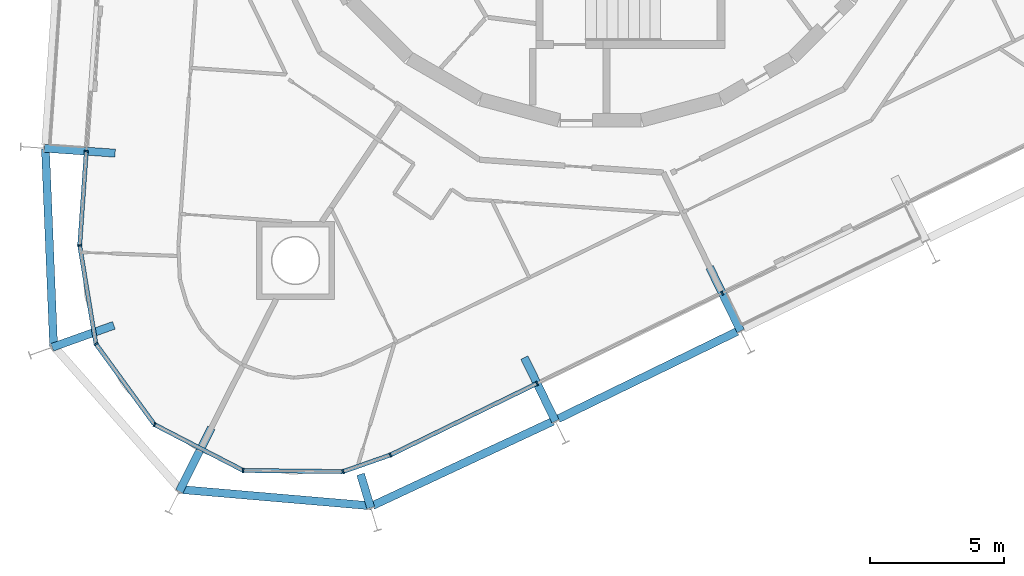
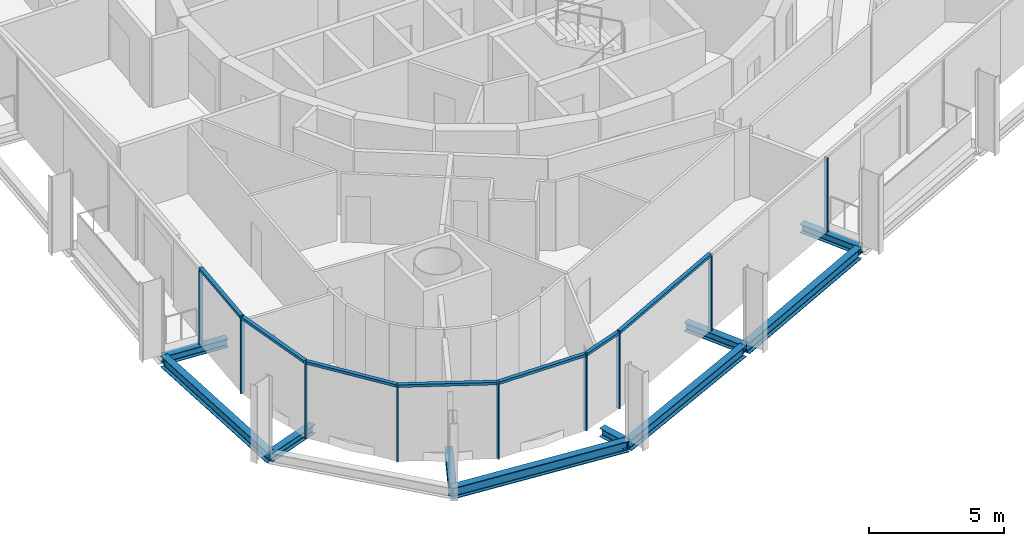
# One storey, part 2 of 18: 16 members, 10 beams, 2 elements without a shape of their own.
"""IFC4 building model written with IfcOpenShell, lengths in metres."""

import ifcopenshell
import ifcopenshell.guid

model = None  # the IFC model being written
_history = None  # IfcOwnerHistory: only IFC2X3 demands one
_inside = {}  # id of a spatial element -> (the spatial element, [elements in it])
_under = {}  # id of a project, library or spatial element -> (it, [spatial elements below it])
_declared = {}  # id of a project -> (the project, [libraries it declares])
_typed = {}  # id of a type object -> (the type object, [elements of that type])
_made_of = {}  # id of a material, layer set ... -> (it, [elements and type objects made of it])


def new_model(schema):
    """Start an empty IFC model of exactly this schema.

    Asked for "IFC4X3", IfcOpenShell would pick the latest addendum, in which some entities
    have other attributes; the version numbers below select the first issue.
    IFC2X3 requires an IfcOwnerHistory on every rooted entity: one is made here for all.
    """
    global model, _history
    if schema == "IFC4X3":
        model = ifcopenshell.file(schema_version=(4, 3, 0, 0))
    else:
        model = ifcopenshell.file(schema=schema)
    _inside.clear()
    _under.clear()
    _declared.clear()
    _typed.clear()
    _made_of.clear()
    _history = None
    if model.schema == "IFC2X3":
        org = make("IfcOrganization", Name="unknown")
        user = make(
            "IfcPersonAndOrganization",
            ThePerson=make("IfcPerson", FamilyName="unknown"),
            TheOrganization=org,
        )
        app = make(
            "IfcApplication",
            ApplicationDeveloper=org,
            Version="unknown",
            ApplicationFullName="unknown",
            ApplicationIdentifier="unknown",
        )
        _history = make(
            "IfcOwnerHistory",
            OwningUser=user,
            OwningApplication=app,
            ChangeAction="ADDED",
            CreationDate=0,
        )
    return model


def make(cls, **values):
    """One entity of the class cls with the attributes given. An attribute that is None is left unset."""
    return model.create_entity(
        cls, **{name: value for name, value in values.items() if value is not None}
    )


def rooted(cls, **values):
    """An entity with a GlobalId (a new one), such as an element, a storey or a relation."""
    return make(cls, GlobalId=ifcopenshell.guid.new(), OwnerHistory=_history, **values)


def si_unit(unit_type, name, prefix=None):
    """IfcSIUnit, for example si_unit("LENGTHUNIT", "METRE", prefix="MILLI")."""
    return make("IfcSIUnit", UnitType=unit_type, Prefix=prefix, Name=name)


def assignment(units):
    """IfcUnitAssignment: the units of a project."""
    return None if units is None else make("IfcUnitAssignment", Units=units)


def point(xyz):
    """IfcCartesianPoint."""
    return None if xyz is None else make("IfcCartesianPoint", Coordinates=xyz)


def direction(xyz):
    """IfcDirection."""
    return None if xyz is None else make("IfcDirection", DirectionRatios=xyz)


def frame(location, z_axis=None, x_axis=None):
    """IfcAxis2Placement3D, a coordinate frame: its origin and axes. An axis left out is left unset."""
    return make(
        "IfcAxis2Placement3D",
        Location=point(location),
        Axis=direction(z_axis),
        RefDirection=direction(x_axis),
    )


def frame_2d(location, x_axis=None):
    """IfcAxis2Placement2D, a coordinate frame in the plane: its origin and x axis."""
    return make(
        "IfcAxis2Placement2D", Location=point(location), RefDirection=direction(x_axis)
    )


def origin():
    """The frame at (0, 0, 0) with its axes left unset."""
    return frame((0.0, 0.0, 0.0))


def origin_2d():
    """The frame at (0, 0) in the plane with its x axis left unset."""
    return frame_2d((0.0, 0.0))


def place(relative_to, where):
    """IfcLocalPlacement: puts the frame where relative to a parent placement (None: the world)."""
    return make(
        "IfcLocalPlacement", PlacementRelTo=relative_to, RelativePlacement=where
    )


def context(
    kind, dimensions, precision=None, world=None, true_north=None, identifier=None
):
    """IfcGeometricRepresentationContext, for example the 3D "Model" context."""
    return make(
        "IfcGeometricRepresentationContext",
        ContextIdentifier=identifier,
        ContextType=kind,
        CoordinateSpaceDimension=dimensions,
        Precision=precision,
        WorldCoordinateSystem=world,
        TrueNorth=true_north,
    )


def subcontext(parent, identifier, kind, view, scale=None):
    """IfcGeometricRepresentationSubContext, for example "Body" below "Model"."""
    return make(
        "IfcGeometricRepresentationSubContext",
        ContextIdentifier=identifier,
        ContextType=kind,
        ParentContext=parent,
        TargetScale=scale,
        TargetView=view,
    )


def project(units=None, contexts=None):
    """IfcProject with its units and contexts."""
    return rooted(
        "IfcProject",
        Name="project",
        RepresentationContexts=contexts,
        UnitsInContext=assignment(units),
    )


def spatial(cls, under=None, at=None, **own):
    """A site, building, storey or space (cls), placed at a placement, below another one or the project."""
    s = rooted(cls, ObjectPlacement=at, **own)
    if under is not None:
        _under.setdefault(under.id(), (under, []))[1].append(s)
    return s


def profile(cls, at=None, kind="AREA", **sizes):
    """A parametric profile (cls). Its sizes go by their IFC names, for example OverallWidth=200.0."""
    return make(cls, ProfileType=kind, Position=at, **sizes)


def rectangle(**sizes):
    """IfcRectangleProfileDef."""
    return profile("IfcRectangleProfileDef", **sizes)


def i_section(**sizes):
    """IfcIShapeProfileDef."""
    return profile("IfcIShapeProfileDef", **sizes)


def extrude(swept, where, along, depth):
    """IfcExtrudedAreaSolid: the profile swept, set in the frame where, extruded along a direction by depth."""
    return make(
        "IfcExtrudedAreaSolid",
        SweptArea=swept,
        Position=where,
        ExtrudedDirection=direction(along),
        Depth=depth,
    )


def shape(context_of_items, identifier, shape_type, items):
    """IfcShapeRepresentation: the items that make up one representation, for example the "Body"."""
    return make(
        "IfcShapeRepresentation",
        ContextOfItems=context_of_items,
        RepresentationIdentifier=identifier,
        RepresentationType=shape_type,
        Items=items,
    )


def material(Name=None, Category=None):
    """IfcMaterial."""
    return make("IfcMaterial", Name=Name, Category=Category)


def layer(
    of_material, thickness, ventilated=None, Name=None, Category=None, Priority=None
):
    """IfcMaterialLayer: one layer of a wall or slab, of a material (None: an air gap)."""
    return make(
        "IfcMaterialLayer",
        Material=of_material,
        LayerThickness=thickness,
        IsVentilated=ventilated,
        Name=Name,
        Category=Category,
        Priority=Priority,
    )


def layer_set(layers, Name=None):
    """IfcMaterialLayerSet."""
    return make("IfcMaterialLayerSet", MaterialLayers=layers, LayerSetName=Name)


def material_profile(
    of_material, cross_section, Name=None, Category=None, Priority=None
):
    """IfcMaterialProfile: a cross section and its material."""
    return make(
        "IfcMaterialProfile",
        Name=Name,
        Material=of_material,
        Profile=cross_section,
        Priority=Priority,
        Category=Category,
    )


def profile_set(profiles, Name=None, composite=None):
    """IfcMaterialProfileSet."""
    return make(
        "IfcMaterialProfileSet",
        Name=Name,
        MaterialProfiles=profiles,
        CompositeProfile=composite,
    )


def made_of(thing, what):
    """Note that an element or type object is made of a material, layer set ...; save() writes the relation."""
    if what is not None:
        _made_of.setdefault(what.id(), (what, []))[1].append(thing)
    return thing


def type_object(cls, material=None, **own):
    """A type object (cls), such as IfcWallType, which elements share."""
    return made_of(rooted(cls, **own), material)


def element(
    cls,
    number,
    at=None,
    inside=None,
    cuts=None,
    type_object=None,
    material=None,
    context=None,
    identifier="Body",
    shape_type=None,
    held_by="IfcProductDefinitionShape",
    body=None,
    shapes=None,
    **own,
):
    """One element of the class cls, such as IfcWall. Its Tag is "e" and its number.

    at: its placement. inside: the storey or other place that contains it. cuts: it is an
    opening in that element (IfcRelVoidsElement). A single representation is given by context,
    identifier, shape_type and body (its items); several are given by shapes. held_by: the class
    of the entity that holds the representations. save() writes the other relations.
    """
    e = rooted(cls, Tag="e%d" % number, ObjectPlacement=at, **own)
    if body is not None:
        shapes = [shape(context, identifier, shape_type, body)]
    if shapes is not None:
        e.Representation = make(held_by, Representations=shapes)
    if inside is not None:
        _inside.setdefault(inside.id(), (inside, []))[1].append(e)
    if cuts is not None:
        rooted(
            "IfcRelVoidsElement", RelatingBuildingElement=cuts, RelatedOpeningElement=e
        )
    if type_object is not None:
        _typed.setdefault(type_object.id(), (type_object, []))[1].append(e)
    return made_of(e, material)


def aggregate(whole, parts):
    """IfcRelAggregates: a whole, such as a stair, and the parts it consists of."""
    return rooted("IfcRelAggregates", RelatingObject=whole, RelatedObjects=parts)


def save(model, path):
    """Write the relations noted so far, then the file.

    IfcRelAggregates (storeys below a building ...), IfcRelContainedInSpatialStructure (elements
    in a storey), IfcRelDefinesByType, IfcRelAssociatesMaterial and IfcRelDeclares: one each for
    every whole, place, type object, material and project.
    """
    for whole, parts in _under.values():
        aggregate(whole, parts)
    for where, things in _inside.values():
        rooted(
            "IfcRelContainedInSpatialStructure",
            RelatedElements=things,
            RelatingStructure=where,
        )
    for kind, things in _typed.values():
        rooted("IfcRelDefinesByType", RelatedObjects=things, RelatingType=kind)
    for what, things in _made_of.values():
        rooted("IfcRelAssociatesMaterial", RelatedObjects=things, RelatingMaterial=what)
    for by, libraries in _declared.values():
        rooted("IfcRelDeclares", RelatingContext=by, RelatedDefinitions=libraries)
    model.write(path)


model = new_model("IFC4")

# Units and contexts
model_context = context("Model", 3, precision=1e-05, world=origin(), true_north=direction((0.0, 1.0)))
body_context = subcontext(model_context, "Body", "Model", "MODEL_VIEW")
ifc_project = project(units=[si_unit("LENGTHUNIT", "METRE"), si_unit("AREAUNIT", "SQUARE_METRE"), si_unit("VOLUMEUNIT", "CUBIC_METRE"), si_unit("PLANEANGLEUNIT", "RADIAN"), si_unit("MASSUNIT", "GRAM", prefix="KILO")], contexts=[model_context])

# Site, building, storey
site_placement = place(None, origin())
site = spatial("IfcSite", under=ifc_project, at=site_placement, CompositionType="ELEMENT")
building_placement = place(site_placement, origin())
building = spatial("IfcBuilding", under=site, at=building_placement, Name="Spindle Arch Residences", CompositionType="ELEMENT")
storey_placement = place(building_placement, frame((0.0, 0.0, 198.89990234375)))
storey = spatial("IfcBuildingStorey", under=building, at=storey_placement, Name="L50", CompositionType="ELEMENT", Elevation=198.89990234375)

# Curtain wall, members
ifc_material_1 = material(Name="Aluminium bronze unitised frame with tinted glass", Category="aluminium")
ifc_layer_1 = layer(ifc_material_1, 0.159912109375)
ifc_layer_set_1 = layer_set([ifc_layer_1], Name="CW-D corner wall on the fillet arcs")
curtain_wall_type_1 = type_object("IfcCurtainWallType", Name="CW-D corner wall on the fillet arcs", PredefinedType="NOTDEFINED", material=ifc_layer_set_1)
curtain_wall_1_placement = place(storey_placement, origin())
curtain_wall_1 = element("IfcCurtainWall", 1, at=curtain_wall_1_placement, inside=storey, type_object=curtain_wall_type_1, Name="CW-D L50 run 5", PredefinedType="NOTDEFINED")
ifc_material_2 = material(Name="Aluminium bronze anodised mullion", Category="aluminium")
ifc_material_profile_1 = material_profile(ifc_material_2, rectangle(XDim=0.159912109375, YDim=0.06005859375, at=origin_2d()), Name="MU 60x160")
ifc_profile_set_1 = profile_set([ifc_material_profile_1], Name="Aluminium bronze anodised mullion")
member_type_1 = type_object("IfcMemberType", Name="Bronze mullion 60x160", PredefinedType="MULLION", material=ifc_profile_set_1)
member_1_placement = place(storey_placement, frame((-19.2001953125, -12.796875, -0.3798828125), z_axis=(0.0, 0.0, 1.0), x_axis=(0.99756405026, -0.069756473744, 0.0)))
member_1 = element("IfcMember", 2, at=member_1_placement, type_object=member_type_1, Name="CW-D mullion 00", PredefinedType="MULLION", context=body_context, shape_type="SweptSolid", body=[
    extrude(rectangle(XDim=0.159912109375, YDim=0.06005859375, at=origin_2d()), origin(), (0.0, 0.0, 1.0), 3.3798828125),
])
member_2_placement = place(storey_placement, frame((-19.4462890625, -16.31689453125, -0.3798828125), z_axis=(0.0, 0.0, 1.0), x_axis=(0.986761531666, 0.162177925821, 0.0)))
member_2 = element("IfcMember", 3, at=member_2_placement, type_object=member_type_1, Name="CW-D mullion 01", PredefinedType="MULLION", context=body_context, shape_type="SweptSolid", body=[
    extrude(rectangle(XDim=0.159912109375, YDim=0.06005859375, at=origin_2d()), origin(), (0.0, 0.0, 1.0), 3.3798828125),
])
member_3_placement = place(storey_placement, frame((-18.842041015625, -19.994140625, -0.3798828125), z_axis=(0.0, 0.0, 1.0), x_axis=(0.809016992641, 0.587785254679, 0.0)))
member_3 = element("IfcMember", 4, at=member_3_placement, type_object=member_type_1, Name="CW-D mullion 02", PredefinedType="MULLION", context=body_context, shape_type="SweptSolid", body=[
    extrude(rectangle(XDim=0.159912109375, YDim=0.06005859375, at=origin_2d()), origin(), (0.0, 0.0, 1.0), 3.3798828125),
])
member_4_placement = place(storey_placement, frame((-16.6513671875, -23.00927734375, -0.3798828125), z_axis=(0.0, 0.0, 1.0), x_axis=(0.459166453025, 0.88835025098, 0.0)))
member_4 = element("IfcMember", 5, at=member_4_placement, type_object=member_type_1, Name="CW-D mullion 03", PredefinedType="MULLION", context=body_context, shape_type="SweptSolid", body=[
    extrude(rectangle(XDim=0.159912109375, YDim=0.06005859375, at=origin_2d()), origin(), (0.0, 0.0, 1.0), 3.3798828125),
])
member_5_placement = place(storey_placement, frame((-13.3408203125, -24.720458984375, -0.3798828125), z_axis=(0.0, 0.0, 1.0), x_axis=(0.011635263346, 0.999932308032, 0.0)))
member_5 = element("IfcMember", 6, at=member_5_placement, type_object=member_type_1, Name="CW-D mullion 04", PredefinedType="MULLION", context=body_context, shape_type="SweptSolid", body=[
    extrude(rectangle(XDim=0.159912109375, YDim=0.06005859375, at=origin_2d()), origin(), (0.0, 0.0, 1.0), 3.3798828125),
])
member_6_placement = place(storey_placement, frame((-9.6142578125, -24.763916015625, -0.3798828125), z_axis=(0.0, 0.0, 1.0), x_axis=(-0.33106342198, 0.943608504957, 0.0)))
member_6 = element("IfcMember", 7, at=member_6_placement, type_object=member_type_1, Name="CW-D mullion 05", PredefinedType="MULLION", context=body_context, shape_type="SweptSolid", body=[
    extrude(rectangle(XDim=0.159912109375, YDim=0.06005859375, at=origin_2d()), origin(), (0.0, 0.0, 1.0), 3.3798828125),
])
member_7_placement = place(storey_placement, frame((-7.843994140625, -24.142822265625, -0.3798828125), z_axis=(0.0, 0.0, 1.0), x_axis=(-0.438371146789, 0.898794046299, 0.0)))
member_7 = element("IfcMember", 8, at=member_7_placement, type_object=member_type_1, Name="CW-D mullion 06", PredefinedType="MULLION", context=body_context, shape_type="SweptSolid", body=[
    extrude(rectangle(XDim=0.159912109375, YDim=0.06005859375, at=origin_2d()), origin(), (0.0, 0.0, 1.0), 3.3798828125),
])

ifc_material_3 = material(Name="Aluminium bronze unitised frame with tinted glass", Category="aluminium")
ifc_layer_2 = layer(ifc_material_3, 0.159912109375)
ifc_layer_set_2 = layer_set([ifc_layer_2], Name="CW-C typical residential unitised wall")
curtain_wall_type_2 = type_object("IfcCurtainWallType", Name="CW-C typical residential unitised wall", PredefinedType="NOTDEFINED", material=ifc_layer_set_2)
curtain_wall_2_placement = place(storey_placement, origin())
curtain_wall_2 = element("IfcCurtainWall", 9, at=curtain_wall_2_placement, inside=storey, type_object=curtain_wall_type_2, Name="CW-C L50 run 6", PredefinedType="NOTDEFINED")
member_8_placement = place(storey_placement, frame((-2.36767578125, -21.4716796875, -0.3798828125), z_axis=(0.0, 0.0, 1.0), x_axis=(-0.438371146789, 0.898794046299, 0.0)))
member_8 = element("IfcMember", 10, at=member_8_placement, type_object=member_type_1, Name="CW-C mullion 20", PredefinedType="MULLION", context=body_context, shape_type="SweptSolid", body=[
    extrude(rectangle(XDim=0.159912109375, YDim=0.06005859375, at=origin_2d()), origin(), (0.0, 0.0, 1.0), 3.3798828125),
])
member_9_placement = place(storey_placement, frame((4.54736328125, -18.09912109375, -0.3798828125), z_axis=(0.0, 0.0, 1.0), x_axis=(-0.438371146789, 0.898794046299, 0.0)))
member_9 = element("IfcMember", 11, at=member_9_placement, type_object=member_type_1, Name="CW-C mullion 21", PredefinedType="MULLION", context=body_context, shape_type="SweptSolid", body=[
    extrude(rectangle(XDim=0.159912109375, YDim=0.06005859375, at=origin_2d()), origin(), (0.0, 0.0, 1.0), 3.3798828125),
])
aggregate(curtain_wall_2, [member_8, member_9])

# Member
ifc_material_4 = material(Name="Aluminium bronze anodised transom", Category="aluminium")
ifc_material_profile_2 = material_profile(ifc_material_4, rectangle(XDim=0.159912109375, YDim=0.1201171875, at=origin_2d()), Name="TR 120x160")
ifc_profile_set_2 = profile_set([ifc_material_profile_2], Name="Aluminium bronze anodised transom")
member_type_2 = type_object("IfcMemberType", Name="Bronze transom 120x160", PredefinedType="USERDEFINED", material=ifc_profile_set_2)
member_10_placement = place(storey_placement, frame((-19.202392578125, -12.826904296875, 3.06005859375), z_axis=(-0.069756279092, -0.997564063871, 0.0), x_axis=(0.997564063871, -0.069756279092, 0.0)))
member_10 = element("IfcMember", 12, at=member_10_placement, type_object=member_type_2, Name="CW-D transom 00", ObjectType="TRANSOM", PredefinedType="USERDEFINED", context=body_context, shape_type="SweptSolid", body=[
    extrude(rectangle(XDim=0.159912109375, YDim=0.1201171875, at=origin_2d()), origin(), (0.0, 0.0, 1.0), 3.468505859375),
])

member_11_placement = place(storey_placement, frame((-19.44140625, -16.346435546875, 3.06005859375), z_axis=(0.162131110814, -0.986769224746, 0.0), x_axis=(0.986769224746, 0.162131110814, 0.0)))
member_11 = element("IfcMember", 13, at=member_11_placement, type_object=member_type_2, Name="CW-D transom 01", ObjectType="TRANSOM", PredefinedType="USERDEFINED", context=body_context, shape_type="SweptSolid", body=[
    extrude(rectangle(XDim=0.159912109375, YDim=0.1201171875, at=origin_2d()), origin(), (0.0, 0.0, 1.0), 3.666748046875),
])

member_12_placement = place(storey_placement, frame((-18.82421875, -20.0185546875, 3.06005859375), z_axis=(0.587807403161, -0.809000900363, 0.0), x_axis=(0.809000900363, 0.587807403161, 0.0)))
member_12 = element("IfcMember", 14, at=member_12_placement, type_object=member_type_2, Name="CW-D transom 02", ObjectType="TRANSOM", PredefinedType="USERDEFINED", context=body_context, shape_type="SweptSolid", body=[
    extrude(rectangle(XDim=0.159912109375, YDim=0.1201171875, at=origin_2d()), origin(), (0.0, 0.0, 1.0), 3.666748046875),
])

member_13_placement = place(storey_placement, frame((-16.624755859375, -23.02294921875, 3.06005859375), z_axis=(0.888327233371, -0.459210982503, 0.0), x_axis=(0.459210982503, 0.888327233371, 0.0)))
member_13 = element("IfcMember", 15, at=member_13_placement, type_object=member_type_2, Name="CW-D transom 03", ObjectType="TRANSOM", PredefinedType="USERDEFINED", context=body_context, shape_type="SweptSolid", body=[
    extrude(rectangle(XDim=0.159912109375, YDim=0.1201171875, at=origin_2d()), origin(), (0.0, 0.0, 1.0), 3.666748046875),
])

member_14_placement = place(storey_placement, frame((-13.310791015625, -24.720703125, 3.06005859375), z_axis=(0.999932114398, -0.011651892397, 0.0), x_axis=(0.011651892397, 0.999932114398, 0.0)))
member_14 = element("IfcMember", 16, at=member_14_placement, type_object=member_type_2, Name="CW-D transom 04", ObjectType="TRANSOM", PredefinedType="USERDEFINED", context=body_context, shape_type="SweptSolid", body=[
    extrude(rectangle(XDim=0.159912109375, YDim=0.1201171875, at=origin_2d()), origin(), (0.0, 0.0, 1.0), 3.666748046875),
])

member_15_placement = place(storey_placement, frame((-9.5859375, -24.75390625, 3.06005859375), z_axis=(0.943591876762, 0.331110812432, 0.0), x_axis=(-0.331110812432, 0.943591876762, 0.0)))
member_15 = element("IfcMember", 17, at=member_15_placement, type_object=member_type_2, Name="CW-D transom 05", ObjectType="TRANSOM", PredefinedType="USERDEFINED", context=body_context, shape_type="SweptSolid", body=[
    extrude(rectangle(XDim=0.159912109375, YDim=0.1201171875, at=origin_2d()), origin(), (0.0, 0.0, 1.0), 1.816162109375),
])

member_16_placement = place(storey_placement, frame((-7.81689453125, -24.129638671875, 3.06005859375), z_axis=(0.898786724344, 0.438386158704, 0.0), x_axis=(-0.438386158704, 0.898786724344, 0.0)))
member_16 = element("IfcMember", 18, at=member_16_placement, type_object=member_type_2, Name="CW-D transom 06", ObjectType="TRANSOM", PredefinedType="USERDEFINED", context=body_context, shape_type="SweptSolid", body=[
    extrude(rectangle(XDim=0.159912109375, YDim=0.1201171875, at=origin_2d()), origin(), (0.0, 0.0, 1.0), 6.032958984375),
])

aggregate(curtain_wall_1, [member_1, member_10, member_2, member_11, member_3, member_12, member_4, member_13, member_5, member_14, member_6, member_15, member_7, member_16])

# Beams
ifc_material_5 = material(Name="Steel S460ML, intumescent coating R 120", Category="steel")
ifc_material_profile_3 = material_profile(ifc_material_5, i_section(OverallWidth=0.300048828125, OverallDepth=0.5, WebThickness=0.014404296875, FlangeThickness=0.028076171875, FilletRadius=0.027099609375, at=origin_2d()), Name="HEB 500")
ifc_profile_set_3 = profile_set([ifc_material_profile_3], Name="Steel S460ML, intumescent coating R 120")
beam_type_1 = type_object("IfcBeamType", Name="Exoskeleton edge beam HEB 500", PredefinedType="BEAM", material=ifc_profile_set_3)
beam_1_placement = place(storey_placement, frame((-20.724609375, -12.719482421875, -0.6298828125), z_axis=(0.041509189308, -0.999138122185, 0.0), x_axis=(0.999138122185, 0.041509189308, 0.0)))
element("IfcBeam", 19, at=beam_1_placement, inside=storey, type_object=beam_type_1, Name="Exoskeleton edge beam 17", PredefinedType="BEAM", context=body_context, shape_type="SweptSolid", body=[
    extrude(i_section(OverallWidth=0.300048828125, OverallDepth=0.5, WebThickness=0.014404296875, FlangeThickness=0.028076171875, FilletRadius=0.027099609375, at=origin_2d()), origin(), (0.0, 0.0, 1.0), 7.36376953125),
])
beam_2_placement = place(storey_placement, frame((-15.7568359375, -25.42431640625, -0.6298828125), z_axis=(0.996340259924, -0.085475648313, 0.0), x_axis=(0.085475648313, 0.996340259924, 0.0)))
element("IfcBeam", 20, at=beam_2_placement, inside=storey, type_object=beam_type_1, Name="Exoskeleton edge beam 19", PredefinedType="BEAM", context=body_context, shape_type="SweptSolid", body=[
    extrude(i_section(OverallWidth=0.300048828125, OverallDepth=0.5, WebThickness=0.014404296875, FlangeThickness=0.028076171875, FilletRadius=0.027099609375, at=origin_2d()), origin(), (0.0, 0.0, 1.0), 7.249267578125),
])
beam_3_placement = place(storey_placement, frame((-8.508056640625, -26.0322265625, -0.6298828125), z_axis=(0.905883990605, 0.423525908966, 0.0), x_axis=(-0.423525908966, 0.905883990605, 0.0)))
element("IfcBeam", 21, at=beam_3_placement, inside=storey, type_object=beam_type_1, Name="Exoskeleton edge beam 20", PredefinedType="BEAM", context=body_context, shape_type="SweptSolid", body=[
    extrude(i_section(OverallWidth=0.300048828125, OverallDepth=0.5, WebThickness=0.014404296875, FlangeThickness=0.028076171875, FilletRadius=0.027099609375, at=origin_2d()), origin(), (0.0, 0.0, 1.0), 7.42822265625),
])
beam_4_placement = place(storey_placement, frame((-1.580078125, -22.789794921875, -0.6298828125), z_axis=(0.898804110297, 0.438350511935, 0.0), x_axis=(-0.438350511935, 0.898804110297, 0.0)))
element("IfcBeam", 22, at=beam_4_placement, inside=storey, type_object=beam_type_1, Name="Exoskeleton edge beam 21", PredefinedType="BEAM", context=body_context, shape_type="SweptSolid", body=[
    extrude(i_section(OverallWidth=0.300048828125, OverallDepth=0.5, WebThickness=0.014404296875, FlangeThickness=0.028076171875, FilletRadius=0.027099609375, at=origin_2d()), origin(), (0.0, 0.0, 1.0), 7.43359375),
])
ifc_material_6 = material(Name="Steel S460ML, intumescent coating R 120", Category="steel")
ifc_material_profile_4 = material_profile(ifc_material_6, i_section(OverallWidth=0.300048828125, OverallDepth=0.389892578125, WebThickness=0.010986328125, FlangeThickness=0.01904296875, FilletRadius=0.027099609375, at=origin_2d()), Name="HEA 400")
ifc_profile_set_4 = profile_set([ifc_material_profile_4], Name="Steel S460ML, intumescent coating R 120")
beam_type_2 = type_object("IfcBeamType", Name="Floor outrigger HEA 400", PredefinedType="BEAM", material=ifc_profile_set_4)
beam_5_placement = place(storey_placement, frame((-20.766357421875, -12.6875, -0.574951171875), z_axis=(0.997565124092, -0.069741115528, 0.0), x_axis=(0.069741115528, 0.997565124092, 0.0)))
element("IfcBeam", 23, at=beam_5_placement, inside=storey, type_object=beam_type_2, Name="Floor outrigger 17", PredefinedType="BEAM", context=body_context, shape_type="SweptSolid", body=[
    extrude(i_section(OverallWidth=0.300048828125, OverallDepth=0.389892578125, WebThickness=0.010986328125, FlangeThickness=0.01904296875, FilletRadius=0.027099609375, at=origin_2d()), origin(), (0.0, 0.0, 1.0), 2.64990234375),
])
beam_6_placement = place(storey_placement, frame((-20.475341796875, -20.1220703125, -0.574951171875), z_axis=(0.941908704104, 0.335869011868, 0.0), x_axis=(-0.335869011868, 0.941908704104, 0.0)))
element("IfcBeam", 24, at=beam_6_placement, inside=storey, type_object=beam_type_2, Name="Floor outrigger 18", PredefinedType="BEAM", context=body_context, shape_type="SweptSolid", body=[
    extrude(i_section(OverallWidth=0.300048828125, OverallDepth=0.389892578125, WebThickness=0.010986328125, FlangeThickness=0.01904296875, FilletRadius=0.027099609375, at=origin_2d()), origin(), (0.0, 0.0, 1.0), 2.448974609375),
])
beam_7_placement = place(storey_placement, frame((-15.725830078125, -25.49951171875, -0.574951171875), z_axis=(0.449717951116, 0.893170624486, 0.0), x_axis=(-0.893170624486, 0.449717951116, 0.0)))
element("IfcBeam", 25, at=beam_7_placement, inside=storey, type_object=beam_type_2, Name="Floor outrigger 19", PredefinedType="BEAM", context=body_context, shape_type="SweptSolid", body=[
    extrude(i_section(OverallWidth=0.300048828125, OverallDepth=0.389892578125, WebThickness=0.010986328125, FlangeThickness=0.01904296875, FilletRadius=0.027099609375, at=origin_2d()), origin(), (0.0, 0.0, 1.0), 2.649658203125),
])
beam_8_placement = place(storey_placement, frame((-8.57763671875, -26.11279296875, -0.574951171875), z_axis=(-0.291027903823, 0.956714565164, 0.0), x_axis=(-0.956714565164, -0.291027903823, 0.0)))
element("IfcBeam", 26, at=beam_8_placement, inside=storey, type_object=beam_type_2, Name="Floor outrigger 20", PredefinedType="BEAM", context=body_context, shape_type="SweptSolid", body=[
    extrude(i_section(OverallWidth=0.300048828125, OverallDepth=0.389892578125, WebThickness=0.010986328125, FlangeThickness=0.01904296875, FilletRadius=0.027099609375, at=origin_2d()), origin(), (0.0, 0.0, 1.0), 1.307861328125),
])
for number, where, z_axis, x_axis, name in (
    (27, (-1.679443359375, -22.8828125, -0.574951171875), (-0.438347395329, 0.898805630272, 0.0), (-0.898805630272, -0.438347395329, 0.0), "Floor outrigger 21"),
    (28, (5.235595703125, -19.510009765625, -0.574951171875), (-0.438383695602, 0.898787925725, 0.0), (-0.898787925725, -0.438383695602, 0.0), "Floor outrigger 22"),
):
    element("IfcBeam", number, at=place(storey_placement, frame(where, z_axis=z_axis, x_axis=x_axis)), inside=storey, type_object=beam_type_2, Name=name, PredefinedType="BEAM", context=body_context, shape_type="SweptSolid", body=[
        extrude(i_section(OverallWidth=0.300048828125, OverallDepth=0.389892578125, WebThickness=0.010986328125, FlangeThickness=0.01904296875, FilletRadius=0.027099609375, at=origin_2d()), origin(), (0.0, 0.0, 1.0), 2.64990234375),
    ])

save(model, "model.ifc")
